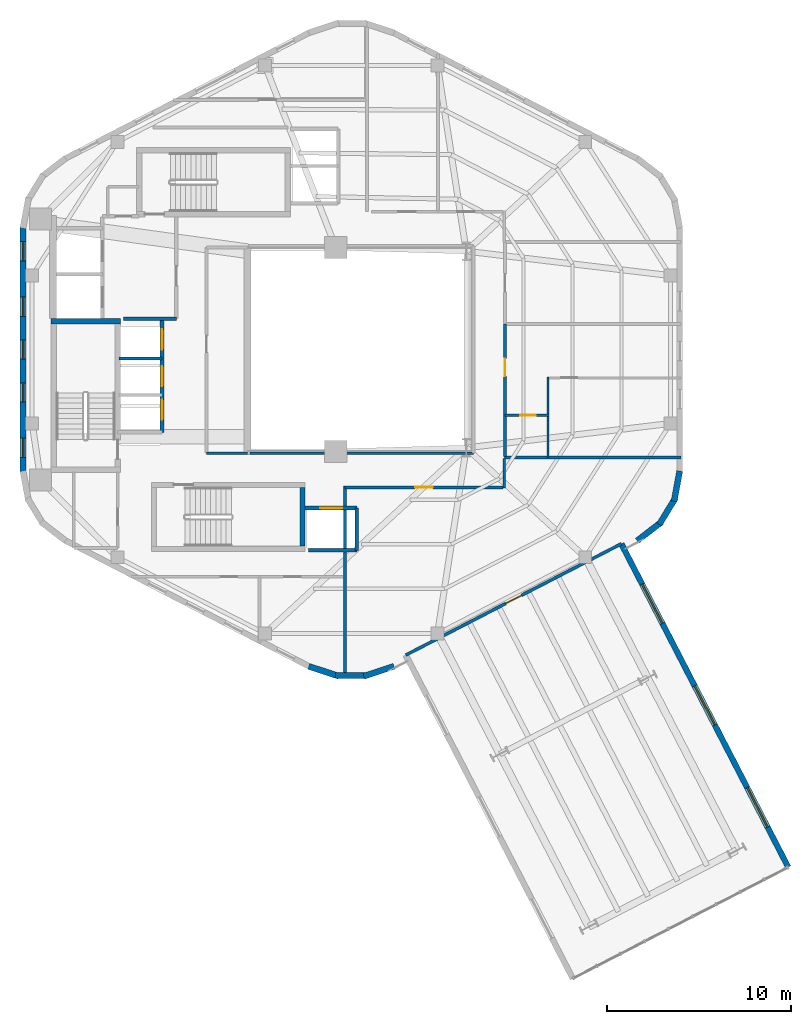
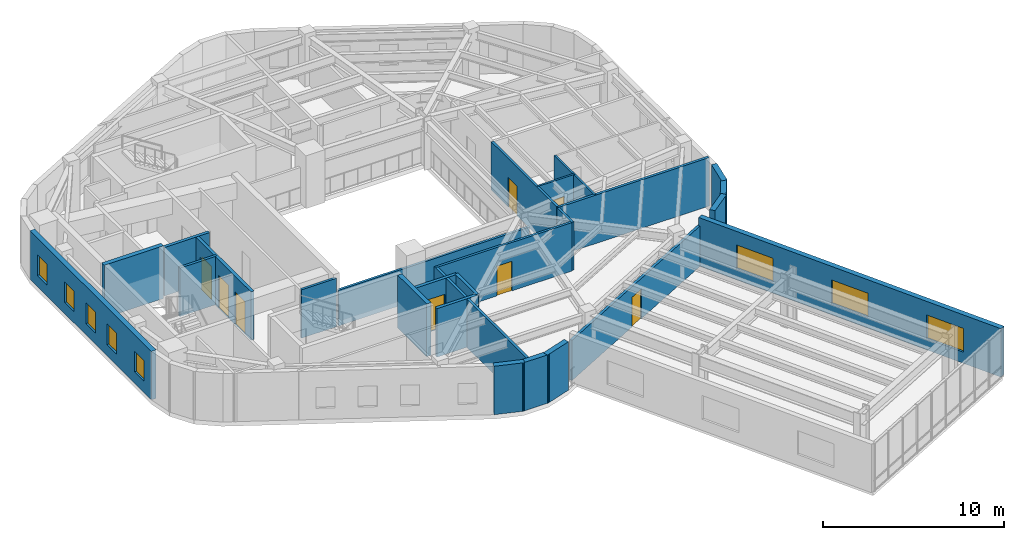
# One storey, part 7 of 10: 26 walls, 8 doors, 8 windows, 16 openings.
"""IFC4 building model written with IfcOpenShell, lengths in metres."""

from ifc_helpers import new_model, si_unit, direction, frame, frame_2d, origin, place, context, subcontext, project, spatial, rectangle, extrude, material, layer, layer_set, type_object, element, fill, save


model = new_model("IFC4")

# Units and contexts
model_context = context("Model", 3, precision=1e-05, world=origin(), true_north=direction((0.0, 1.0)))
body_context = subcontext(model_context, "Body", "Model", "MODEL_VIEW")
ifc_project = project(units=[si_unit("LENGTHUNIT", "METRE"), si_unit("AREAUNIT", "SQUARE_METRE"), si_unit("VOLUMEUNIT", "CUBIC_METRE"), si_unit("PLANEANGLEUNIT", "RADIAN"), si_unit("MASSUNIT", "GRAM", prefix="KILO"), si_unit("THERMODYNAMICTEMPERATUREUNIT", "KELVIN"), si_unit("POWERUNIT", "WATT")], contexts=[model_context])

# Site, building, storey
site_placement = place(None, origin())
site = spatial("IfcSite", under=ifc_project, at=site_placement, CompositionType="ELEMENT")
building_placement = place(site_placement, origin())
building = spatial("IfcBuilding", under=site, at=building_placement, Name="Skarre Station Tower", CompositionType="ELEMENT")
storey_placement = place(building_placement, frame((0.0, 0.0, 234.800048828125)))
storey = spatial("IfcBuildingStorey", under=building, at=storey_placement, Name="L64", CompositionType="ELEMENT", Elevation=234.800048828125)

# Walls
ifc_material_1 = material(Name="Acoustic Steel-Stud Gypsum Partition", Category="steel")
ifc_layer_1 = layer(ifc_material_1, 0.14990234375, Name="Acoustic Steel-Stud Gypsum Partition")
ifc_layer_set_1 = layer_set([ifc_layer_1], Name="Acoustic Steel-Stud Gypsum Partition")
wall_type_1 = type_object("IfcWallType", Name="Fire-Rated Corridor Acoustic Partition 150", PredefinedType="PARTITIONING", material=ifc_layer_set_1)
wall_1_placement = place(storey_placement, frame((25.320068359375, 18.360107421875, 0.0), z_axis=(0.0, 0.0, 1.0), x_axis=(1.0, 0.0, 0.0)))
element("IfcWall", 1, at=wall_1_placement, inside=storey, type_object=wall_type_1, Name="L64 Interior Partition WL-PT-L64-RC2-S", PredefinedType="PARTITIONING", context=body_context, shape_type="SweptSolid", body=[
    extrude(rectangle(XDim=2.22998046875, YDim=0.14990234375, at=frame_2d((1.114990234375, 0.0))), origin(), (0.0, 0.0, 1.0), 3.260009765625),
])
wall_2_placement = place(storey_placement, frame((27.675048828125, 18.360107421875, 0.0), z_axis=(0.0, 0.0, 1.0), x_axis=(1.0, 0.0, 0.0)))
element("IfcWall", 2, at=wall_2_placement, inside=storey, type_object=wall_type_1, Name="L64 Interior Partition WL-PT-L64-ATRW-S", PredefinedType="PARTITIONING", context=body_context, shape_type="SweptSolid", body=[
    extrude(rectangle(XDim=12.1650390625, YDim=0.14990234375, at=frame_2d((6.08251953125, 0.0))), origin(), (0.0, 0.0, 1.0), 2.40087890625),
])

# Wall, opening, door
wall_3_placement = place(storey_placement, frame((41.56005859375, 18.179931640625, 0.0), z_axis=(0.0, 0.0, 1.0), x_axis=(0.0, 1.0, 0.0)))
wall_3 = element("IfcWall", 3, at=wall_3_placement, inside=storey, type_object=wall_type_1, Name="L64 Interior Partition WL-PT-L64-EW1-CW", PredefinedType="PARTITIONING", context=body_context, shape_type="SweptSolid", body=[
    extrude(rectangle(XDim=7.198974609375, YDim=0.14990234375, at=frame_2d((3.599609375, 0.0))), origin(), (0.0, 0.0, 1.0), 3.260009765625),
])
opening_1_placement = place(wall_3_placement, frame((4.3701171875, 0.0, 0.0)))
opening_1 = element("IfcOpeningElement", 4, at=opening_1_placement, cuts=wall_3, Name="Opening DR-FD60", PredefinedType="OPENING", context=body_context, shape_type="SweptSolid", body=[
    extrude(rectangle(XDim=0.9599609375, YDim=2.0, at=frame_2d((0.47998046875, 1.0))), frame((0.0, 0.0849609375, 0.0), z_axis=(0.0, -1.0, 0.0), x_axis=(1.0, 0.0, 0.0)), (0.0, 0.0, 1.0), 0.169921875),
])
ifc_material_2 = material(Name="Nordic White-Oak Veneer Solid-Core Fire Leaf", Category="wood")
door_type_1 = type_object("IfcDoorType", Name="Corridor Suite Entry Fire Door FD60 960x2150", OperationType="SINGLE_SWING_LEFT", PredefinedType="DOOR", material=ifc_material_2)
door_1_placement = place(opening_1_placement, origin())
door_1 = element("IfcDoor", 5, at=door_1_placement, inside=storey, type_object=door_type_1, Name="L64 EW1 Entry Door", OperationType="SINGLE_SWING_LEFT", OverallHeight=2.0, OverallWidth=0.9599609375, PredefinedType="DOOR", context=body_context, shape_type="SweptSolid", body=[
    extrude(rectangle(XDim=0.9599609375, YDim=2.0, at=frame_2d((0.47998046875, 1.0))), frame((0.0, 0.02490234375, 0.0), z_axis=(0.0, -1.0, 0.0), x_axis=(1.0, 0.0, 0.0)), (0.0, 0.0, 1.0), 0.050048828125),
])
fill(opening_1, door_1)

# Wall
wall_4_placement = place(storey_placement, frame((41.52001953125, 16.4599609375, 0.0), z_axis=(0.0, 0.0, 1.0), x_axis=(0.0, 1.0, 0.0)))
element("IfcWall", 6, at=wall_4_placement, inside=storey, type_object=wall_type_1, Name="L64 Interior Partition WL-PT-L64-CORR-SER", PredefinedType="PARTITIONING", context=body_context, shape_type="SweptSolid", body=[
    extrude(rectangle(XDim=1.60205078125, YDim=0.14990234375, at=frame_2d((0.801025390625, 0.0))), origin(), (0.0, 0.0, 1.0), 3.260009765625),
])

# Wall, opening, door
wall_5_placement = place(storey_placement, frame((32.85009765625, 16.5, 0.0), z_axis=(0.0, 0.0, 1.0), x_axis=(1.0, 0.0, 0.0)))
wall_5 = element("IfcWall", 7, at=wall_5_placement, inside=storey, type_object=wall_type_1, Name="L64 Interior Partition WL-PT-L64-SW1-CW", PredefinedType="PARTITIONING", context=body_context, shape_type="SweptSolid", body=[
    extrude(rectangle(XDim=8.60986328125, YDim=0.14990234375, at=frame_2d((4.304931640625, 0.0))), origin(), (0.0, 0.0, 1.0), 3.260009765625),
])
opening_2_placement = place(wall_5_placement, frame((3.824951171875, 0.0, 0.0)))
opening_2 = element("IfcOpeningElement", 8, at=opening_2_placement, cuts=wall_5, Name="Opening DR-FD60", PredefinedType="OPENING", context=body_context, shape_type="SweptSolid", body=[
    extrude(rectangle(XDim=0.9599609375, YDim=2.0, at=frame_2d((0.47998046875, 1.0))), frame((0.0, 0.0849609375, 0.0), z_axis=(0.0, -1.0, 0.0), x_axis=(1.0, 0.0, 0.0)), (0.0, 0.0, 1.0), 0.169921875),
])
door_2_placement = place(opening_2_placement, origin())
door_2 = element("IfcDoor", 9, at=door_2_placement, inside=storey, type_object=door_type_1, Name="L64 SW1 Entry Door", OperationType="SINGLE_SWING_LEFT", OverallHeight=2.0, OverallWidth=0.9599609375, PredefinedType="DOOR", context=body_context, shape_type="SweptSolid", body=[
    extrude(rectangle(XDim=0.9599609375, YDim=2.0, at=frame_2d((0.47998046875, 1.0))), frame((0.0, 0.02490234375, 0.0), z_axis=(0.0, -1.0, 0.0), x_axis=(1.0, 0.0, 0.0)), (0.0, 0.0, 1.0), 0.050048828125),
])
fill(opening_2, door_2)

# Wall
ifc_material_3 = material(Name="Insulated Timber-Stud Gypsum Partition", Category="wood")
ifc_layer_2 = layer(ifc_material_3, 0.1201171875, Name="Insulated Timber-Stud Gypsum Partition")
ifc_layer_set_2 = layer_set([ifc_layer_2], Name="Insulated Timber-Stud Gypsum Partition")
wall_type_2 = type_object("IfcWallType", Name="Internal Suite Acoustic Partition 120", PredefinedType="PARTITIONING", material=ifc_layer_set_2)
wall_6_placement = place(storey_placement, frame((43.89990234375, 18.1298828125, 0.0), z_axis=(0.0, 0.0, 1.0), x_axis=(0.0, 1.0, 0.0)))
element("IfcWall", 10, at=wall_6_placement, inside=storey, type_object=wall_type_2, Name="L64 Interior Partition WL-PT-L64-EW1-BW1", PredefinedType="PARTITIONING", context=body_context, shape_type="SweptSolid", body=[
    extrude(rectangle(XDim=4.38916015625, YDim=0.1201171875, at=frame_2d((2.194580078125, 0.0))), origin(), (0.0, 0.0, 1.0), 3.260009765625),
])

# Wall, opening, door
wall_7_placement = place(storey_placement, frame((43.9599609375, 20.429931640625, 0.0), z_axis=(0.0, 0.0, 1.0), x_axis=(-1.0, 0.0, 0.0)))
wall_7 = element("IfcWall", 11, at=wall_7_placement, inside=storey, type_object=wall_type_2, Name="L64 Interior Partition WL-PT-L64-EW1-BW2", PredefinedType="PARTITIONING", context=body_context, shape_type="SweptSolid", body=[
    extrude(rectangle(XDim=2.409912109375, YDim=0.1201171875, at=frame_2d((1.205078125, 0.0))), origin(), (0.0, 0.0, 1.0), 3.260009765625),
])
opening_3_placement = place(wall_7_placement, frame((0.719970703125, 0.0, 0.0)))
opening_3 = element("IfcOpeningElement", 12, at=opening_3_placement, cuts=wall_7, Name="Opening DR-INT86", PredefinedType="OPENING", context=body_context, shape_type="SweptSolid", body=[
    extrude(rectangle(XDim=0.860107421875, YDim=2.0, at=frame_2d((0.43017578125, 1.0))), frame((0.0, 0.070068359375, 0.0), z_axis=(0.0, -1.0, 0.0), x_axis=(1.0, 0.0, 0.0)), (0.0, 0.0, 1.0), 0.14013671875),
])
ifc_material_4 = material(Name="Nordic Birch Acoustic Solid-Core Timber Leaf", Category="wood")
door_type_2 = type_object("IfcDoorType", Name="Internal En-Suite & Bedroom Door 860x2100", OperationType="SINGLE_SWING_LEFT", PredefinedType="DOOR", material=ifc_material_4)
door_3_placement = place(opening_3_placement, origin())
door_3 = element("IfcDoor", 13, at=door_3_placement, inside=storey, type_object=door_type_2, Name="L64 EW1 Residence Bathroom Door", OperationType="SINGLE_SWING_LEFT", OverallHeight=2.0, OverallWidth=0.860107421875, PredefinedType="DOOR", context=body_context, shape_type="SweptSolid", body=[
    extrude(rectangle(XDim=0.860107421875, YDim=2.0, at=frame_2d((0.43017578125, 1.0))), frame((0.0, 0.02490234375, 0.0), z_axis=(0.0, -1.0, 0.0), x_axis=(1.0, 0.0, 0.0)), (0.0, 0.0, 1.0), 0.050048828125),
])
fill(opening_3, door_3)

# Walls
ifc_material_5 = material(Name="Precast concrete C45/55", Category="concrete")
ifc_layer_3 = layer(ifc_material_5, 0.330078125, Name="Precast concrete C45/55")
ifc_layer_set_3 = layer_set([ifc_layer_3], Name="Precast concrete C45/55")
wall_type_3 = type_object("IfcWallType", Name="Nordic Rounded Corner Precast Wall 330", PredefinedType="STANDARD", material=ifc_layer_set_3)
wall_8_placement = place(storey_placement, frame((35.51806640625, 6.76904296875, 0.0), z_axis=(0.0, 0.0, 1.0), x_axis=(-0.949713440491, -0.313120393699, 0.0)))
element("IfcWall", 14, at=wall_8_placement, inside=storey, type_object=wall_type_3, Name="L64 Rounded Corner Precast Wall F4-1", PredefinedType="STANDARD", context=body_context, shape_type="SweptSolid", body=[
    extrude(rectangle(XDim=1.7216796875, YDim=0.330078125, at=frame_2d((0.86083984375, 0.0))), origin(), (0.0, 0.0, 1.0), 3.260009765625),
])
wall_9_placement = place(storey_placement, frame((34.06103515625, 6.259033203125, 0.0), z_axis=(0.0, 0.0, 1.0), x_axis=(-1.0, 0.0, 0.0)))
element("IfcWall", 15, at=wall_9_placement, inside=storey, type_object=wall_type_3, Name="L64 Rounded Corner Precast Wall F4-2", PredefinedType="STANDARD", context=body_context, shape_type="SweptSolid", body=[
    extrude(rectangle(XDim=1.721923828125, YDim=0.330078125, at=frame_2d((0.86083984375, 0.0))), origin(), (0.0, 0.0, 1.0), 3.260009765625),
])
wall_10_placement = place(storey_placement, frame((32.51708984375, 6.22998046875, 0.0), z_axis=(0.0, 0.0, 1.0), x_axis=(-0.949713440491, 0.313120393699, 0.0)))
element("IfcWall", 16, at=wall_10_placement, inside=storey, type_object=wall_type_3, Name="L64 Rounded Corner Precast Wall F4-3", PredefinedType="STANDARD", context=body_context, shape_type="SweptSolid", body=[
    extrude(rectangle(XDim=1.7216796875, YDim=0.330078125, at=frame_2d((0.86083984375, 0.0))), origin(), (0.0, 0.0, 1.0), 3.260009765625),
])
wall_11_placement = place(storey_placement, frame((51.06201171875, 17.39208984375, 0.0), z_axis=(0.0, 0.0, 1.0), x_axis=(-0.180691763044, -0.983539773862, 0.0)))
element("IfcWall", 17, at=wall_11_placement, inside=storey, type_object=wall_type_3, Name="L64 Rounded Corner Precast Wall F5-1", PredefinedType="STANDARD", context=body_context, shape_type="SweptSolid", body=[
    extrude(rectangle(XDim=1.6767578125, YDim=0.330078125, at=frame_2d((0.83837890625, 0.0))), origin(), (0.0, 0.0, 1.0), 3.260009765625),
])
wall_12_placement = place(storey_placement, frame((50.825927734375, 15.91796875, 0.0), z_axis=(0.0, 0.0, 1.0), x_axis=(-0.520325409202, -0.853968072318, 0.0)))
element("IfcWall", 18, at=wall_12_placement, inside=storey, type_object=wall_type_3, Name="L64 Rounded Corner Precast Wall F5-2", PredefinedType="STANDARD", context=body_context, shape_type="SweptSolid", body=[
    extrude(rectangle(XDim=1.677978515625, YDim=0.330078125, at=frame_2d((0.8388671875, 0.0))), origin(), (0.0, 0.0, 1.0), 3.260009765625),
])
wall_13_placement = place(storey_placement, frame((50.077880859375, 14.625, 0.0), z_axis=(0.0, 0.0, 1.0), x_axis=(-0.790691856293, -0.61221433207, 0.0)))
element("IfcWall", 19, at=wall_13_placement, inside=storey, type_object=wall_type_3, Name="L64 Rounded Corner Precast Wall F5-3", PredefinedType="STANDARD", context=body_context, shape_type="SweptSolid", body=[
    extrude(rectangle(XDim=1.67578125, YDim=0.330078125, at=frame_2d((0.837890625, 0.0))), origin(), (0.0, 0.0, 1.0), 3.260009765625),
])

# Wall, openings, windows
ifc_layer_4 = layer(ifc_material_5, 0.31005859375, Name="Precast concrete C45/55")
ifc_layer_set_4 = layer_set([ifc_layer_4], Name="Precast concrete C45/55")
wall_type_4 = type_object("IfcWallType", Name="Nordic Upper-Zone Precast Facet Wall 310", PredefinedType="STANDARD", material=ifc_layer_set_4)
wall_14_placement = place(storey_placement, frame((15.342041015625, 17.298095703125, 0.0), z_axis=(0.0, 0.0, 1.0), x_axis=(0.0, 1.0, 0.0)))
wall_14 = element("IfcWall", 20, at=wall_14_placement, inside=storey, type_object=wall_type_4, Name="L64 Facet 2 Nordic Precast Masonry Wall", PredefinedType="STANDARD", context=body_context, shape_type="SweptSolid", body=[
    extrude(rectangle(XDim=13.40380859375, YDim=0.31005859375, at=frame_2d((6.701904296875, 0.0))), origin(), (0.0, 0.0, 1.0), 3.260009765625),
])
opening_4_placement = place(wall_14_placement, frame((0.8310546875, 0.0, 0.75)))
opening_4 = element("IfcOpeningElement", 21, at=opening_4_placement, cuts=wall_14, Name="Opening WN-SLT", PredefinedType="OPENING", context=body_context, shape_type="SweptSolid", body=[
    extrude(rectangle(XDim=1.050048828125, YDim=1.39990234375, at=frame_2d((0.52490234375, 0.699951171875))), frame((0.0, 0.1650390625, 0.0), z_axis=(0.0, -1.0, 0.0), x_axis=(1.0, 0.0, 0.0)), (0.0, 0.0, 1.0), 0.330078125),
])
opening_5_placement = place(wall_14_placement, frame((3.843017578125, 0.0, 0.75)))
opening_5 = element("IfcOpeningElement", 22, at=opening_5_placement, cuts=wall_14, Name="Opening WN-SLT", PredefinedType="OPENING", context=body_context, shape_type="SweptSolid", body=[
    extrude(rectangle(XDim=1.050048828125, YDim=1.39990234375, at=frame_2d((0.52490234375, 0.699951171875))), frame((0.0, 0.1650390625, 0.0), z_axis=(0.0, -1.0, 0.0), x_axis=(1.0, 0.0, 0.0)), (0.0, 0.0, 1.0), 0.330078125),
])
opening_6_placement = place(wall_14_placement, frame((6.177001953125, 0.0, 0.75)))
opening_6 = element("IfcOpeningElement", 23, at=opening_6_placement, cuts=wall_14, Name="Opening WN-SLT", PredefinedType="OPENING", context=body_context, shape_type="SweptSolid", body=[
    extrude(rectangle(XDim=1.050048828125, YDim=1.39990234375, at=frame_2d((0.52490234375, 0.699951171875))), frame((0.0, 0.1650390625, 0.0), z_axis=(0.0, -1.0, 0.0), x_axis=(1.0, 0.0, 0.0)), (0.0, 0.0, 1.0), 0.330078125),
])
opening_7_placement = place(wall_14_placement, frame((8.510986328125, 0.0, 0.75)))
opening_7 = element("IfcOpeningElement", 24, at=opening_7_placement, cuts=wall_14, Name="Opening WN-SLT", PredefinedType="OPENING", context=body_context, shape_type="SweptSolid", body=[
    extrude(rectangle(XDim=1.050048828125, YDim=1.39990234375, at=frame_2d((0.52490234375, 0.699951171875))), frame((0.0, 0.1650390625, 0.0), z_axis=(0.0, -1.0, 0.0), x_axis=(1.0, 0.0, 0.0)), (0.0, 0.0, 1.0), 0.330078125),
])
opening_8_placement = place(wall_14_placement, frame((11.52392578125, 0.0, 0.75)))
opening_8 = element("IfcOpeningElement", 25, at=opening_8_placement, cuts=wall_14, Name="Opening WN-SLT", PredefinedType="OPENING", context=body_context, shape_type="SweptSolid", body=[
    extrude(rectangle(XDim=1.050048828125, YDim=1.39990234375, at=frame_2d((0.52490234375, 0.699951171875))), frame((0.0, 0.1650390625, 0.0), z_axis=(0.0, -1.0, 0.0), x_axis=(1.0, 0.0, 0.0)), (0.0, 0.0, 1.0), 0.330078125),
])
ifc_material_6 = material(Name="Low-Iron Triple Glazing with Bronze Anodized Frame", Category="glass")
window_type_1 = type_object("IfcWindowType", Name="Nordic Corner Slot Window 1050x1400", PartitioningType="SINGLE_PANEL", PredefinedType="WINDOW", material=ifc_material_6)
window_1_placement = place(opening_4_placement, origin())
window_1 = element("IfcWindow", 26, at=window_1_placement, inside=storey, type_object=window_type_1, Name="L64 Facade Window WL-FAC-L64-F2-1", OverallHeight=1.39990234375, OverallWidth=1.050048828125, PartitioningType="SINGLE_PANEL", PredefinedType="WINDOW", context=body_context, shape_type="SweptSolid", body=[
    extrude(rectangle(XDim=1.050048828125, YDim=1.39990234375, at=frame_2d((0.52490234375, 0.699951171875))), frame((0.0, 0.030029296875, 0.0), z_axis=(0.0, -1.0, 0.0), x_axis=(1.0, 0.0, 0.0)), (0.0, 0.0, 1.0), 0.06005859375),
])
fill(opening_4, window_1)
window_2_placement = place(opening_5_placement, origin())
window_2 = element("IfcWindow", 27, at=window_2_placement, inside=storey, type_object=window_type_1, Name="L64 Facade Window WL-FAC-L64-F2-2", OverallHeight=1.39990234375, OverallWidth=1.050048828125, PartitioningType="SINGLE_PANEL", PredefinedType="WINDOW", context=body_context, shape_type="SweptSolid", body=[
    extrude(rectangle(XDim=1.050048828125, YDim=1.39990234375, at=frame_2d((0.52490234375, 0.699951171875))), frame((0.0, 0.030029296875, 0.0), z_axis=(0.0, -1.0, 0.0), x_axis=(1.0, 0.0, 0.0)), (0.0, 0.0, 1.0), 0.06005859375),
])
fill(opening_5, window_2)
window_3_placement = place(opening_6_placement, origin())
window_3 = element("IfcWindow", 28, at=window_3_placement, inside=storey, type_object=window_type_1, Name="L64 Facade Window WL-FAC-L64-F2-3", OverallHeight=1.39990234375, OverallWidth=1.050048828125, PartitioningType="SINGLE_PANEL", PredefinedType="WINDOW", context=body_context, shape_type="SweptSolid", body=[
    extrude(rectangle(XDim=1.050048828125, YDim=1.39990234375, at=frame_2d((0.52490234375, 0.699951171875))), frame((0.0, 0.030029296875, 0.0), z_axis=(0.0, -1.0, 0.0), x_axis=(1.0, 0.0, 0.0)), (0.0, 0.0, 1.0), 0.06005859375),
])
fill(opening_6, window_3)
window_4_placement = place(opening_7_placement, origin())
window_4 = element("IfcWindow", 29, at=window_4_placement, inside=storey, type_object=window_type_1, Name="L64 Facade Window WL-FAC-L64-F2-4", OverallHeight=1.39990234375, OverallWidth=1.050048828125, PartitioningType="SINGLE_PANEL", PredefinedType="WINDOW", context=body_context, shape_type="SweptSolid", body=[
    extrude(rectangle(XDim=1.050048828125, YDim=1.39990234375, at=frame_2d((0.52490234375, 0.699951171875))), frame((0.0, 0.030029296875, 0.0), z_axis=(0.0, -1.0, 0.0), x_axis=(1.0, 0.0, 0.0)), (0.0, 0.0, 1.0), 0.06005859375),
])
fill(opening_7, window_4)
window_5_placement = place(opening_8_placement, origin())
window_5 = element("IfcWindow", 30, at=window_5_placement, inside=storey, type_object=window_type_1, Name="L64 Facade Window WL-FAC-L64-F2-5", OverallHeight=1.39990234375, OverallWidth=1.050048828125, PartitioningType="SINGLE_PANEL", PredefinedType="WINDOW", context=body_context, shape_type="SweptSolid", body=[
    extrude(rectangle(XDim=1.050048828125, YDim=1.39990234375, at=frame_2d((0.52490234375, 0.699951171875))), frame((0.0, 0.030029296875, 0.0), z_axis=(0.0, -1.0, 0.0), x_axis=(1.0, 0.0, 0.0)), (0.0, 0.0, 1.0), 0.06005859375),
])
fill(opening_8, window_5)

wall_15_placement = place(storey_placement, frame((47.887939453125, 13.43310546875, 0.0), z_axis=(0.0, 0.0, 1.0), x_axis=(0.458693173014, -0.888594718097, 0.0)))
wall_15 = element("IfcWall", 31, at=wall_15_placement, inside=storey, type_object=wall_type_4, Name="L64 SB-5 Side 2 Precast Wall", PredefinedType="STANDARD", context=body_context, shape_type="SweptSolid", body=[
    extrude(rectangle(XDim=19.7998046875, YDim=0.31005859375, at=frame_2d((9.89990234375, 0.0))), origin(), (0.0, 0.0, 1.0), 3.260009765625),
])
opening_9_placement = place(wall_15_placement, frame((2.467041015625, 0.0, 0.75)))
opening_9 = element("IfcOpeningElement", 32, at=opening_9_placement, cuts=wall_15, Name="Opening WN-Z4A", PredefinedType="OPENING", context=body_context, shape_type="SweptSolid", body=[
    extrude(rectangle(XDim=2.39990234375, YDim=1.60009765625, at=frame_2d((1.199951171875, 0.800048828125))), frame((0.0, 0.1650390625, 0.0), z_axis=(0.0, -1.0, 0.0), x_axis=(1.0, 0.0, 0.0)), (0.0, 0.0, 1.0), 0.330078125),
])
opening_10_placement = place(wall_15_placement, frame((8.699951171875, 0.0, 0.75)))
opening_10 = element("IfcOpeningElement", 33, at=opening_10_placement, cuts=wall_15, Name="Opening WN-Z4A", PredefinedType="OPENING", context=body_context, shape_type="SweptSolid", body=[
    extrude(rectangle(XDim=2.39990234375, YDim=1.60009765625, at=frame_2d((1.199951171875, 0.800048828125))), frame((0.0, 0.1650390625, 0.0), z_axis=(0.0, -1.0, 0.0), x_axis=(1.0, 0.0, 0.0)), (0.0, 0.0, 1.0), 0.330078125),
])
opening_11_placement = place(wall_15_placement, frame((14.93310546875, 0.0, 0.75)))
opening_11 = element("IfcOpeningElement", 34, at=opening_11_placement, cuts=wall_15, Name="Opening WN-Z4A", PredefinedType="OPENING", context=body_context, shape_type="SweptSolid", body=[
    extrude(rectangle(XDim=2.39990234375, YDim=1.60009765625, at=frame_2d((1.199951171875, 0.800048828125))), frame((0.0, 0.1650390625, 0.0), z_axis=(0.0, -1.0, 0.0), x_axis=(1.0, 0.0, 0.0)), (0.0, 0.0, 1.0), 0.330078125),
])
window_type_2 = type_object("IfcWindowType", Name="Nordic Crown Panorama Window 2400x1600", PartitioningType="SINGLE_PANEL", PredefinedType="WINDOW", material=ifc_material_6)
window_6_placement = place(opening_9_placement, origin())
window_6 = element("IfcWindow", 35, at=window_6_placement, inside=storey, type_object=window_type_2, Name="L64 Facade Window WL-SB-5-L64-S2-1", OverallHeight=1.60009765625, OverallWidth=2.39990234375, PartitioningType="SINGLE_PANEL", PredefinedType="WINDOW", context=body_context, shape_type="SweptSolid", body=[
    extrude(rectangle(XDim=2.39990234375, YDim=1.60009765625, at=frame_2d((1.199951171875, 0.800048828125))), frame((0.0, 0.030029296875, 0.0), z_axis=(0.0, -1.0, 0.0), x_axis=(1.0, 0.0, 0.0)), (0.0, 0.0, 1.0), 0.06005859375),
])
fill(opening_9, window_6)
window_7_placement = place(opening_10_placement, origin())
window_7 = element("IfcWindow", 36, at=window_7_placement, inside=storey, type_object=window_type_2, Name="L64 Facade Window WL-SB-5-L64-S2-2", OverallHeight=1.60009765625, OverallWidth=2.39990234375, PartitioningType="SINGLE_PANEL", PredefinedType="WINDOW", context=body_context, shape_type="SweptSolid", body=[
    extrude(rectangle(XDim=2.39990234375, YDim=1.60009765625, at=frame_2d((1.199951171875, 0.800048828125))), frame((0.0, 0.030029296875, 0.0), z_axis=(0.0, -1.0, 0.0), x_axis=(1.0, 0.0, 0.0)), (0.0, 0.0, 1.0), 0.06005859375),
])
fill(opening_10, window_7)
window_8_placement = place(opening_11_placement, origin())
window_8 = element("IfcWindow", 37, at=window_8_placement, inside=storey, type_object=window_type_2, Name="L64 Facade Window WL-SB-5-L64-S2-3", OverallHeight=1.60009765625, OverallWidth=2.39990234375, PartitioningType="SINGLE_PANEL", PredefinedType="WINDOW", context=body_context, shape_type="SweptSolid", body=[
    extrude(rectangle(XDim=2.39990234375, YDim=1.60009765625, at=frame_2d((1.199951171875, 0.800048828125))), frame((0.0, 0.030029296875, 0.0), z_axis=(0.0, -1.0, 0.0), x_axis=(1.0, 0.0, 0.0)), (0.0, 0.0, 1.0), 0.06005859375),
])
fill(opening_11, window_8)

# Walls
ifc_material_7 = material(Name="Concrete C50/60", Category="concrete")
ifc_layer_5 = layer(ifc_material_7, 0.280029296875, Name="Concrete C50/60")
ifc_layer_set_5 = layer_set([ifc_layer_5], Name="Concrete C50/60")
wall_type_5 = type_object("IfcWallType", Name="RC Core Shear Wall 280", PredefinedType="SHEAR", material=ifc_layer_set_5)
wall_16_placement = place(storey_placement, frame((20.6298828125, 25.5400390625, 0.0), z_axis=(0.0, 0.0, 1.0), x_axis=(-1.0, 0.0, 0.0)))
element("IfcWall", 38, at=wall_16_placement, inside=storey, type_object=wall_type_5, Name="L64 Stair ST-1 North Shear Wall", PredefinedType="SHEAR", context=body_context, shape_type="SweptSolid", body=[
    extrude(rectangle(XDim=3.759765625, YDim=0.280029296875, at=frame_2d((1.8798828125, 0.0))), origin(), (0.0, 0.0, 1.0), 3.550048828125),
])
wall_17_placement = place(storey_placement, frame((30.5400390625, 13.300048828125, 0.0), z_axis=(0.0, 0.0, 1.0), x_axis=(0.0, 1.0, 0.0)))
element("IfcWall", 39, at=wall_17_placement, inside=storey, type_object=wall_type_5, Name="L64 Stair ST-2 East Shear Wall", PredefinedType="SHEAR", context=body_context, shape_type="SweptSolid", body=[
    extrude(rectangle(XDim=3.199951171875, YDim=0.280029296875, at=frame_2d((1.60009765625, 0.0))), origin(), (0.0, 0.0, 1.0), 3.550048828125),
])
ifc_material_8 = material(Name="Gypsum Concrete Shaft Assembly C30/37", Category="concrete")
ifc_layer_6 = layer(ifc_material_8, 0.199951171875, Name="Gypsum Concrete Shaft Assembly C30/37")
ifc_layer_set_6 = layer_set([ifc_layer_6], Name="Gypsum Concrete Shaft Assembly C30/37")
wall_type_6 = type_object("IfcWallType", Name="Shaft & Core Fire Partition 200", PredefinedType="PARTITIONING", material=ifc_layer_set_6)
wall_18_placement = place(storey_placement, frame((20.79296875, 25.679931640625, 0.0), z_axis=(0.0, 0.0, 1.0), x_axis=(1.0, 0.0, 0.0)))
element("IfcWall", 40, at=wall_18_placement, inside=storey, type_object=wall_type_6, Name="L64 Interior Partition WL-PT-L64-FSAE-S", PredefinedType="PARTITIONING", context=body_context, shape_type="SweptSolid", body=[
    extrude(rectangle(XDim=2.886962890625, YDim=0.199951171875, at=frame_2d((1.443359375, 0.0))), origin(), (0.0, 0.0, 1.0), 3.260009765625),
])

# Wall, opening, door
wall_19_placement = place(storey_placement, frame((33.5, 15.3798828125, 0.0), z_axis=(0.0, 0.0, 1.0), x_axis=(-1.0, 0.0, 0.0)))
wall_19 = element("IfcWall", 41, at=wall_19_placement, inside=storey, type_object=wall_type_6, Name="L64 Interior Partition WL-PT-L64-SV1-N", PredefinedType="PARTITIONING", context=body_context, shape_type="SweptSolid", body=[
    extrude(rectangle(XDim=2.820068359375, YDim=0.199951171875, at=frame_2d((1.41015625, 0.0))), origin(), (0.0, 0.0, 1.0), 3.260009765625),
])
opening_12_placement = place(wall_19_placement, frame((0.800048828125, 0.0, 0.0)))
opening_12 = element("IfcOpeningElement", 42, at=opening_12_placement, cuts=wall_19, Name="Opening LD-SV1", PredefinedType="OPENING", context=body_context, shape_type="SweptSolid", body=[
    extrude(rectangle(XDim=1.199951171875, YDim=2.199951171875, at=frame_2d((0.60009765625, 1.10009765625))), frame((0.0, 0.10986328125, 0.0), z_axis=(0.0, -1.0, 0.0), x_axis=(1.0, 0.0, 0.0)), (0.0, 0.0, 1.0), 0.219970703125),
])
ifc_material_9 = material(Name="Heavy-Gauge Brushed Stainless Steel Sliding Leaves", Category="steel")
door_type_3 = type_object("IfcDoorType", Name="Service Elevator Wide Sliding Landing Door 1200x2200", OperationType="SLIDING_TO_RIGHT", PredefinedType="DOOR", material=ifc_material_9)
door_4_placement = place(opening_12_placement, origin())
door_4 = element("IfcDoor", 43, at=door_4_placement, inside=storey, type_object=door_type_3, Name="L64 Service Lift LF-SV1 Landing Door", OperationType="SLIDING_TO_RIGHT", OverallHeight=2.199951171875, OverallWidth=1.199951171875, PredefinedType="DOOR", context=body_context, shape_type="SweptSolid", body=[
    extrude(rectangle(XDim=1.199951171875, YDim=2.199951171875, at=frame_2d((0.60009765625, 1.10009765625))), frame((0.0, 0.02490234375, 0.0), z_axis=(0.0, -1.0, 0.0), x_axis=(1.0, 0.0, 0.0)), (0.0, 0.0, 1.0), 0.050048828125),
])
fill(opening_12, door_4)

# Walls
wall_20_placement = place(storey_placement, frame((33.5, 13.080078125, 0.0), z_axis=(0.0, 0.0, 1.0), x_axis=(0.0, 1.0, 0.0)))
element("IfcWall", 44, at=wall_20_placement, inside=storey, type_object=wall_type_6, Name="L64 Interior Partition WL-PT-L64-SV1-E", PredefinedType="PARTITIONING", context=body_context, shape_type="SweptSolid", body=[
    extrude(rectangle(XDim=2.2998046875, YDim=0.199951171875, at=frame_2d((1.14990234375, 0.0))), origin(), (0.0, 0.0, 1.0), 3.260009765625),
])
wall_21_placement = place(storey_placement, frame((30.87890625, 13.080078125, 0.0), z_axis=(0.0, 0.0, 1.0), x_axis=(1.0, 0.0, 0.0)))
element("IfcWall", 45, at=wall_21_placement, inside=storey, type_object=wall_type_6, Name="L64 Interior Partition WL-PT-L64-SV1-S", PredefinedType="PARTITIONING", context=body_context, shape_type="SweptSolid", body=[
    extrude(rectangle(XDim=2.62109375, YDim=0.199951171875, at=frame_2d((1.310546875, 0.0))), origin(), (0.0, 0.0, 1.0), 3.260009765625),
])

# Wall, openings, doors
wall_22_placement = place(storey_placement, frame((22.89990234375, 19.5, 0.0), z_axis=(0.0, 0.0, 1.0), x_axis=(0.0, 1.0, 0.0)))
wall_22 = element("IfcWall", 46, at=wall_22_placement, inside=storey, type_object=wall_type_6, Name="L64 Interior Partition WL-PT-L64-B3-E", PredefinedType="PARTITIONING", context=body_context, shape_type="SweptSolid", body=[
    extrude(rectangle(XDim=6.0849609375, YDim=0.199951171875, at=frame_2d((3.04248046875, 0.0))), origin(), (0.0, 0.0, 1.0), 3.260009765625),
])
opening_13_placement = place(wall_22_placement, frame((0.679931640625, 0.0, 0.0)))
opening_13 = element("IfcOpeningElement", 47, at=opening_13_placement, cuts=wall_22, Name="Opening LD-P7", PredefinedType="OPENING", context=body_context, shape_type="SweptSolid", body=[
    extrude(rectangle(XDim=1.10009765625, YDim=2.199951171875, at=frame_2d((0.550048828125, 1.10009765625))), frame((0.0, 0.10986328125, 0.0), z_axis=(0.0, -1.0, 0.0), x_axis=(1.0, 0.0, 0.0)), (0.0, 0.0, 1.0), 0.219970703125),
])
opening_14_placement = place(wall_22_placement, frame((2.5, 0.0, 0.0)))
opening_14 = element("IfcOpeningElement", 48, at=opening_14_placement, cuts=wall_22, Name="Opening LD-P8", PredefinedType="OPENING", context=body_context, shape_type="SweptSolid", body=[
    extrude(rectangle(XDim=1.10009765625, YDim=2.199951171875, at=frame_2d((0.550048828125, 1.10009765625))), frame((0.0, 0.10986328125, 0.0), z_axis=(0.0, -1.0, 0.0), x_axis=(1.0, 0.0, 0.0)), (0.0, 0.0, 1.0), 0.219970703125),
])
opening_15_placement = place(wall_22_placement, frame((4.5, 0.0, 0.0)))
opening_15 = element("IfcOpeningElement", 49, at=opening_15_placement, cuts=wall_22, Name="Opening LD-P9", PredefinedType="OPENING", context=body_context, shape_type="SweptSolid", body=[
    extrude(rectangle(XDim=1.10009765625, YDim=2.199951171875, at=frame_2d((0.550048828125, 1.10009765625))), frame((0.0, 0.10986328125, 0.0), z_axis=(0.0, -1.0, 0.0), x_axis=(1.0, 0.0, 0.0)), (0.0, 0.0, 1.0), 0.219970703125),
])
ifc_material_10 = material(Name="Brushed Bronze Stainless Steel Sliding Leaves", Category="steel")
door_type_4 = type_object("IfcDoorType", Name="Passenger Elevator Center-Parting Sliding Door 1100x2200", OperationType="SLIDING_TO_LEFT", PredefinedType="DOOR", material=ifc_material_10)
door_5_placement = place(opening_13_placement, origin())
door_5 = element("IfcDoor", 50, at=door_5_placement, inside=storey, type_object=door_type_4, Name="L64 Passenger Lift LF-P7 Landing Door", OperationType="SLIDING_TO_LEFT", OverallHeight=2.199951171875, OverallWidth=1.10009765625, PredefinedType="DOOR", context=body_context, shape_type="SweptSolid", body=[
    extrude(rectangle(XDim=1.10009765625, YDim=2.199951171875, at=frame_2d((0.550048828125, 1.10009765625))), frame((0.0, 0.02490234375, 0.0), z_axis=(0.0, -1.0, 0.0), x_axis=(1.0, 0.0, 0.0)), (0.0, 0.0, 1.0), 0.050048828125),
])
fill(opening_13, door_5)
door_6_placement = place(opening_14_placement, origin())
door_6 = element("IfcDoor", 51, at=door_6_placement, inside=storey, type_object=door_type_4, Name="L64 Passenger Lift LF-P8 Landing Door", OperationType="SLIDING_TO_LEFT", OverallHeight=2.199951171875, OverallWidth=1.10009765625, PredefinedType="DOOR", context=body_context, shape_type="SweptSolid", body=[
    extrude(rectangle(XDim=1.10009765625, YDim=2.199951171875, at=frame_2d((0.550048828125, 1.10009765625))), frame((0.0, 0.02490234375, 0.0), z_axis=(0.0, -1.0, 0.0), x_axis=(1.0, 0.0, 0.0)), (0.0, 0.0, 1.0), 0.050048828125),
])
fill(opening_14, door_6)
door_7_placement = place(opening_15_placement, origin())
door_7 = element("IfcDoor", 52, at=door_7_placement, inside=storey, type_object=door_type_4, Name="L64 Passenger Lift LF-P9 Landing Door", OperationType="SLIDING_TO_LEFT", OverallHeight=2.199951171875, OverallWidth=1.10009765625, PredefinedType="DOOR", context=body_context, shape_type="SweptSolid", body=[
    extrude(rectangle(XDim=1.10009765625, YDim=2.199951171875, at=frame_2d((0.550048828125, 1.10009765625))), frame((0.0, 0.02490234375, 0.0), z_axis=(0.0, -1.0, 0.0), x_axis=(1.0, 0.0, 0.0)), (0.0, 0.0, 1.0), 0.050048828125),
])
fill(opening_15, door_7)

# Walls
wall_23_placement = place(storey_placement, frame((20.550048828125, 23.52001953125, 0.0), z_axis=(0.0, 0.0, 1.0), x_axis=(1.0, 0.0, 0.0)))
element("IfcWall", 53, at=wall_23_placement, inside=storey, type_object=wall_type_6, Name="L64 Interior Partition WL-PT-L64-B3-D2", PredefinedType="PARTITIONING", context=body_context, shape_type="SweptSolid", body=[
    extrude(rectangle(XDim=2.349853515625, YDim=0.159912109375, at=frame_2d((1.1748046875, 0.0))), origin(), (0.0, 0.0, 1.0), 3.260009765625),
])
ifc_layer_7 = layer(ifc_material_1, 0.1650390625, Name="Acoustic Steel-Stud Gypsum Partition")
ifc_layer_set_7 = layer_set([ifc_layer_7], Name="Acoustic Steel-Stud Gypsum Partition")
wall_type_7 = type_object("IfcWallType", Name="Suite Demising Acoustic Partition 165", PredefinedType="PARTITIONING", material=ifc_layer_set_7)
wall_24_placement = place(storey_placement, frame((32.85009765625, 6.154052734375, 0.0), z_axis=(0.0, 0.0, 1.0), x_axis=(0.0, 1.0, 0.0)))
element("IfcWall", 54, at=wall_24_placement, inside=storey, type_object=wall_type_7, Name="L64 Interior Partition WL-PT-L64-SWP-E", PredefinedType="PARTITIONING", context=body_context, shape_type="SweptSolid", body=[
    extrude(rectangle(XDim=10.416015625, YDim=0.1650390625, at=frame_2d((5.2080078125, 0.0))), origin(), (0.0, 0.0, 1.0), 3.260009765625),
])
wall_25_placement = place(storey_placement, frame((41.52001953125, 18.139892578125, 0.0), z_axis=(0.0, 0.0, 1.0), x_axis=(1.0, 0.0, 0.0)))
element("IfcWall", 55, at=wall_25_placement, inside=storey, type_object=wall_type_7, Name="L64 Interior Partition WL-PT-L64-EWB-S", PredefinedType="PARTITIONING", context=body_context, shape_type="SweptSolid", body=[
    extrude(rectangle(XDim=9.623046875, YDim=0.1650390625, at=frame_2d((4.8115234375, 0.0))), origin(), (0.0, 0.0, 1.0), 3.260009765625),
])

# Wall, opening, door
wall_26_placement = place(storey_placement, frame((36.157958984375, 7.3779296875, 0.0), z_axis=(0.0, 0.0, 1.0), x_axis=(0.88859001822, 0.458702277648, 0.0)))
wall_26 = element("IfcWall", 56, at=wall_26_placement, inside=storey, type_object=wall_type_7, Name="L64 Interior Partition WL-PT-L64-SB-5-ROOT", PredefinedType="PARTITIONING", context=body_context, shape_type="SweptSolid", body=[
    extrude(rectangle(XDim=13.20068359375, YDim=0.1650390625, at=frame_2d((6.600341796875, 0.0))), origin(), (0.0, 0.0, 1.0), 2.7109375),
])
opening_16_placement = place(wall_26_placement, frame((6.1201171875, 0.0, 0.0)))
opening_16 = element("IfcOpeningElement", 57, at=opening_16_placement, cuts=wall_26, Name="Opening DR-FD60", PredefinedType="OPENING", context=body_context, shape_type="SweptSolid", body=[
    extrude(rectangle(XDim=0.9599609375, YDim=2.0, at=frame_2d((0.47998046875, 1.0))), frame((0.0, 0.092529296875, 0.0), z_axis=(0.0, -1.0, 0.0), x_axis=(1.0, 0.0, 0.0)), (0.0, 0.0, 1.0), 0.18505859375),
])
door_8_placement = place(opening_16_placement, origin())
door_8 = element("IfcDoor", 58, at=door_8_placement, inside=storey, type_object=door_type_1, Name="L64 SB-5 Horizon Salon Door", OperationType="SINGLE_SWING_LEFT", OverallHeight=2.0, OverallWidth=0.9599609375, PredefinedType="DOOR", context=body_context, shape_type="SweptSolid", body=[
    extrude(rectangle(XDim=0.9599609375, YDim=2.0, at=frame_2d((0.47998046875, 1.0))), frame((0.0, 0.02490234375, 0.0), z_axis=(0.0, -1.0, 0.0), x_axis=(1.0, 0.0, 0.0)), (0.0, 0.0, 1.0), 0.050048828125),
])
fill(opening_16, door_8)

save(model, "model.ifc")
